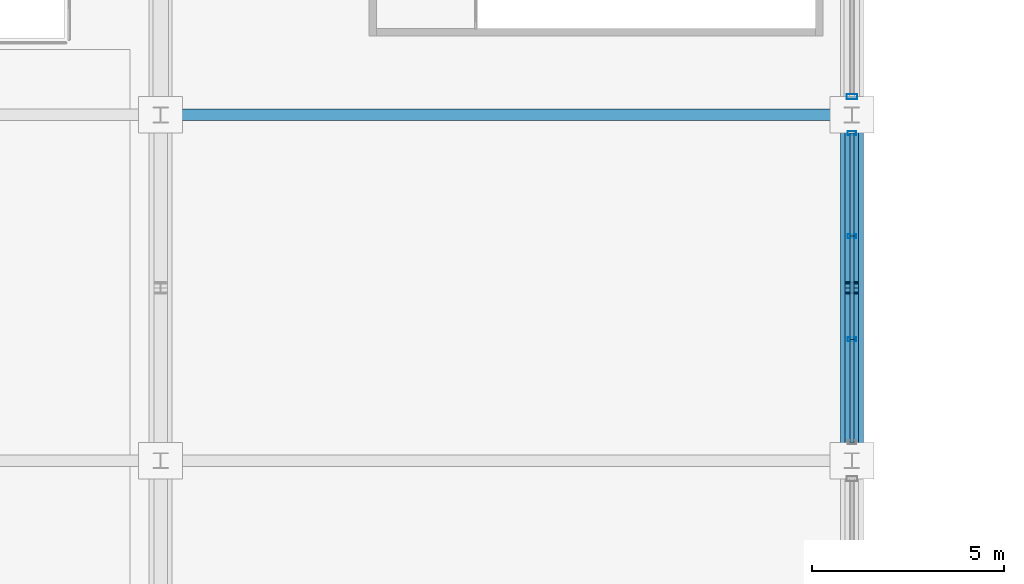
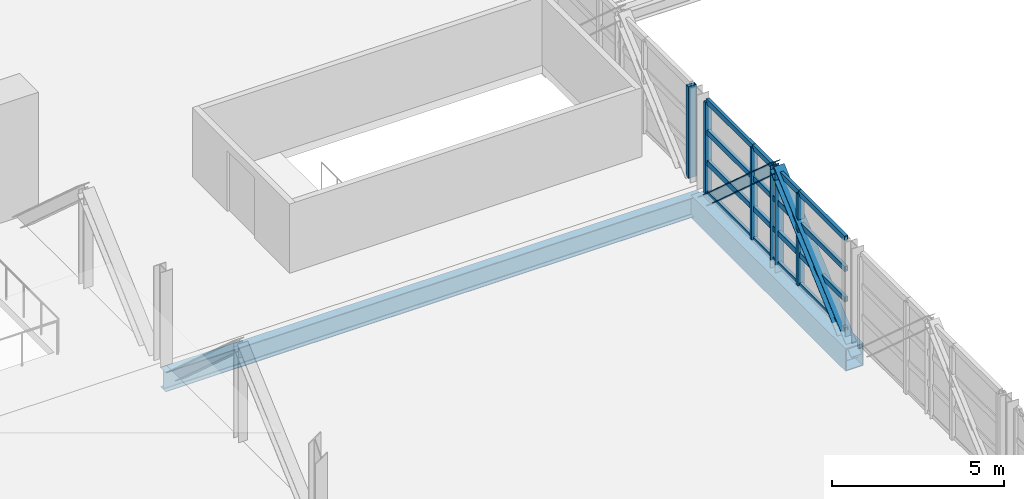
# One storey, part 45 of 136: 19 members, 2 beams, 2 elements without a shape of their own.
"""IFC4 building model written with IfcOpenShell, lengths in metres."""

from ifc_helpers import new_model, si_unit, direction, frame, origin, origin_2d, place, context, subcontext, project, spatial, hollow_rectangle, i_section, extrude, material, material_profile, profile_set, type_object, element, aggregate, save


model = new_model("IFC4")

# Units and contexts
model_context = context("Model", 3, precision=1e-05, world=origin(), true_north=direction((0.0, 1.0)))
body_context = subcontext(model_context, "Body", "Model", "MODEL_VIEW")
ifc_project = project(units=[si_unit("LENGTHUNIT", "METRE"), si_unit("AREAUNIT", "SQUARE_METRE"), si_unit("VOLUMEUNIT", "CUBIC_METRE"), si_unit("PLANEANGLEUNIT", "RADIAN"), si_unit("MASSUNIT", "GRAM", prefix="KILO")], contexts=[model_context])

# Site, building, storey
site_placement = place(None, origin())
site = spatial("IfcSite", under=ifc_project, at=site_placement, CompositionType="ELEMENT")
building_placement = place(site_placement, origin())
building = spatial("IfcBuilding", under=site, at=building_placement, Name="Chuanluo Vaults Station", CompositionType="ELEMENT")
storey_placement = place(building_placement, frame((0.0, 0.0, 6.60009765625)))
storey = spatial("IfcBuildingStorey", under=building, at=storey_placement, Name="L01", CompositionType="ELEMENT", Elevation=6.60009765625)

# Beams
ifc_material_1 = material(Name="Steel Q355C", Category="steel")
ifc_material_profile_1 = material_profile(ifc_material_1, i_section(OverallWidth=0.300048828125, OverallDepth=0.699951171875, WebThickness=0.012939453125, FlangeThickness=0.02392578125, FilletRadius=0.02197265625, at=origin_2d()))
ifc_profile_set_1 = profile_set([ifc_material_profile_1], Name="Steel Q355C")
beam_type_1 = type_object("IfcBeamType", Name="BM-GRD-700", PredefinedType="USERDEFINED", material=ifc_profile_set_1)
beam_1_placement = place(storey_placement, frame((90.0, 94.5, -0.630126953125), z_axis=(1.0, 0.0, 0.0), x_axis=(0.0, 1.0, 0.0)))
element("IfcBeam", 1, at=beam_1_placement, inside=storey, type_object=beam_type_1, Name="Over-track concourse floor girder 6-94", ObjectType="GIRDER", PredefinedType="USERDEFINED", context=body_context, shape_type="SweptSolid", body=[
    extrude(i_section(OverallWidth=0.300048828125, OverallDepth=0.699951171875, WebThickness=0.012939453125, FlangeThickness=0.02392578125, FilletRadius=0.02197265625, at=origin_2d()), origin(), (0.0, 0.0, 1.0), 18.0),
])
ifc_material_2 = material(Name="Steel Q390C", Category="steel")
ifc_material_profile_2 = material_profile(ifc_material_2, hollow_rectangle(XDim=0.60009765625, YDim=0.800048828125, WallThickness=0.031982421875, at=origin_2d()))
ifc_profile_set_2 = profile_set([ifc_material_profile_2], Name="Steel Q390C")
beam_type_2 = type_object("IfcBeamType", Name="BM-TT-BOT", PredefinedType="USERDEFINED", material=ifc_profile_set_2)
beam_2_placement = place(storey_placement, frame((108.0, 85.5, -0.68017578125), z_axis=(0.0, 1.0, 0.0), x_axis=(-1.0, 0.0, 0.0)))
element("IfcBeam", 2, at=beam_2_placement, inside=storey, type_object=beam_type_2, Name="Transfer truss TT-7 bottom chord 3", ObjectType="GIRDER", PredefinedType="USERDEFINED", context=body_context, shape_type="SweptSolid", body=[
    extrude(hollow_rectangle(XDim=0.60009765625, YDim=0.800048828125, WallThickness=0.031982421875, at=origin_2d()), origin(), (0.0, 0.0, 1.0), 9.0),
])

# Curtain wall, members
ifc_material_3 = material(Name="Anodised aluminium 6063-T6", Category="aluminium")
curtain_wall_type_1 = type_object("IfcCurtainWallType", Name="CW-SYS-28", PredefinedType="NOTDEFINED", material=ifc_material_3)
curtain_wall_1_placement = place(storey_placement, origin())
curtain_wall_1 = element("IfcCurtainWall", 3, at=curtain_wall_1_placement, inside=storey, type_object=curtain_wall_type_1, Name="Over-track east hall CW 85", PredefinedType="NOTDEFINED")
ifc_material_4 = material(Name="Anodised aluminium 6063-T6", Category="aluminium")
ifc_material_profile_3 = material_profile(ifc_material_4, hollow_rectangle(XDim=0.10498046875, YDim=0.219970703125, WallThickness=0.006103515625, at=origin_2d()))
ifc_profile_set_3 = profile_set([ifc_material_profile_3], Name="Anodised aluminium 6063-T6")
member_type_1 = type_object("IfcMemberType", Name="CWM-140", PredefinedType="MULLION", material=ifc_profile_set_3)
member_1_placement = place(storey_placement, frame((108.0, 94.02490234375, 0.0), z_axis=(0.0, 0.0, 1.0), x_axis=(0.0, -1.0, 0.0)))
member_1 = element("IfcMember", 4, at=member_1_placement, type_object=member_type_1, Name="Over-track east hall CW 85 mullion 1", PredefinedType="MULLION", context=body_context, shape_type="SweptSolid", body=[
    extrude(hollow_rectangle(XDim=0.10498046875, YDim=0.219970703125, WallThickness=0.006103515625, at=origin_2d()), origin(), (0.0, 0.0, 1.0), 3.25),
])
member_2_placement = place(storey_placement, frame((108.0, 91.341796875, 0.0), z_axis=(0.0, 0.0, 1.0), x_axis=(0.0, -1.0, 0.0)))
member_2 = element("IfcMember", 5, at=member_2_placement, type_object=member_type_1, Name="Over-track east hall CW 85 mullion 2", PredefinedType="MULLION", context=body_context, shape_type="SweptSolid", body=[
    extrude(hollow_rectangle(XDim=0.10498046875, YDim=0.219970703125, WallThickness=0.006103515625, at=origin_2d()), origin(), (0.0, 0.0, 1.0), 3.25),
])
member_3_placement = place(storey_placement, frame((108.0, 88.658203125, 0.0), z_axis=(0.0, 0.0, 1.0), x_axis=(0.0, -1.0, 0.0)))
member_3 = element("IfcMember", 6, at=member_3_placement, type_object=member_type_1, Name="Over-track east hall CW 85 mullion 3", PredefinedType="MULLION", context=body_context, shape_type="SweptSolid", body=[
    extrude(hollow_rectangle(XDim=0.10498046875, YDim=0.219970703125, WallThickness=0.006103515625, at=origin_2d()), origin(), (0.0, 0.0, 1.0), 3.25),
])

# Curtain wall, member
ifc_material_5 = material(Name="Anodised aluminium 6063-T6", Category="aluminium")
curtain_wall_type_2 = type_object("IfcCurtainWallType", Name="CW-SYS-02", PredefinedType="NOTDEFINED", material=ifc_material_5)
curtain_wall_2_placement = place(storey_placement, origin())
curtain_wall_2 = element("IfcCurtainWall", 7, at=curtain_wall_2_placement, inside=storey, type_object=curtain_wall_type_2, Name="Over-track east hall CW 94", PredefinedType="NOTDEFINED")
ifc_material_6 = material(Name="Anodised aluminium 6063-T6", Category="aluminium")
ifc_material_profile_4 = material_profile(ifc_material_6, hollow_rectangle(XDim=0.1298828125, YDim=0.280029296875, WallThickness=0.007080078125, at=origin_2d()))
ifc_profile_set_4 = profile_set([ifc_material_profile_4], Name="Anodised aluminium 6063-T6")
member_type_2 = type_object("IfcMemberType", Name="CWM-180", PredefinedType="MULLION", material=ifc_profile_set_4)
member_4_placement = place(storey_placement, frame((108.0, 94.97509765625, 0.0), z_axis=(0.0, 0.0, 1.0), x_axis=(0.0, -1.0, 0.0)))
member_4 = element("IfcMember", 8, at=member_4_placement, type_object=member_type_2, Name="Over-track east hall CW 94 mullion 4", PredefinedType="MULLION", context=body_context, shape_type="SweptSolid", body=[
    extrude(hollow_rectangle(XDim=0.1298828125, YDim=0.280029296875, WallThickness=0.007080078125, at=origin_2d()), origin(), (0.0, 0.0, 1.0), 3.25),
])
aggregate(curtain_wall_2, [member_4])

# Member
ifc_material_7 = material(Name="Anodised aluminium 6063-T6", Category="aluminium")
ifc_material_profile_5 = material_profile(ifc_material_7, hollow_rectangle(XDim=0.10498046875, YDim=0.18505859375, WallThickness=0.0048828125, at=origin_2d()))
ifc_profile_set_5 = profile_set([ifc_material_profile_5], Name="Anodised aluminium 6063-T6")
member_type_3 = type_object("IfcMemberType", Name="CWT-110", PredefinedType="USERDEFINED", material=ifc_profile_set_5)
member_5_placement = place(storey_placement, frame((108.0, 94.02490234375, 0.0), z_axis=(0.0, -1.0, 0.0), x_axis=(1.0, 0.0, 0.0)))
member_5 = element("IfcMember", 9, at=member_5_placement, type_object=member_type_3, Name="Over-track east hall CW 85 transom 1.1", ObjectType="TRANSOM", PredefinedType="USERDEFINED", context=body_context, shape_type="SweptSolid", body=[
    extrude(hollow_rectangle(XDim=0.10498046875, YDim=0.18505859375, WallThickness=0.0048828125, at=origin_2d()), origin(), (0.0, 0.0, 1.0), 2.68310546875),
])

member_6_placement = place(storey_placement, frame((108.0, 94.02490234375, 1.083251953125), z_axis=(0.0, -1.0, 0.0), x_axis=(1.0, 0.0, 0.0)))
member_6 = element("IfcMember", 10, at=member_6_placement, type_object=member_type_3, Name="Over-track east hall CW 85 transom 1.2", ObjectType="TRANSOM", PredefinedType="USERDEFINED", context=body_context, shape_type="SweptSolid", body=[
    extrude(hollow_rectangle(XDim=0.10498046875, YDim=0.18505859375, WallThickness=0.0048828125, at=origin_2d()), origin(), (0.0, 0.0, 1.0), 2.68310546875),
])

member_7_placement = place(storey_placement, frame((108.0, 94.02490234375, 2.16650390625), z_axis=(0.0, -1.0, 0.0), x_axis=(1.0, 0.0, 0.0)))
member_7 = element("IfcMember", 11, at=member_7_placement, type_object=member_type_3, Name="Over-track east hall CW 85 transom 1.3", ObjectType="TRANSOM", PredefinedType="USERDEFINED", context=body_context, shape_type="SweptSolid", body=[
    extrude(hollow_rectangle(XDim=0.10498046875, YDim=0.18505859375, WallThickness=0.0048828125, at=origin_2d()), origin(), (0.0, 0.0, 1.0), 2.68310546875),
])

member_8_placement = place(storey_placement, frame((108.0, 94.02490234375, 3.25), z_axis=(0.0, -1.0, 0.0), x_axis=(1.0, 0.0, 0.0)))
member_8 = element("IfcMember", 12, at=member_8_placement, type_object=member_type_3, Name="Over-track east hall CW 85 transom 1.4", ObjectType="TRANSOM", PredefinedType="USERDEFINED", context=body_context, shape_type="SweptSolid", body=[
    extrude(hollow_rectangle(XDim=0.10498046875, YDim=0.18505859375, WallThickness=0.0048828125, at=origin_2d()), origin(), (0.0, 0.0, 1.0), 2.68310546875),
])

member_9_placement = place(storey_placement, frame((108.0, 91.341796875, 0.0), z_axis=(0.0, -1.0, 0.0), x_axis=(1.0, 0.0, 0.0)))
member_9 = element("IfcMember", 13, at=member_9_placement, type_object=member_type_3, Name="Over-track east hall CW 85 transom 2.1", ObjectType="TRANSOM", PredefinedType="USERDEFINED", context=body_context, shape_type="SweptSolid", body=[
    extrude(hollow_rectangle(XDim=0.10498046875, YDim=0.18505859375, WallThickness=0.0048828125, at=origin_2d()), origin(), (0.0, 0.0, 1.0), 2.68359375),
])

member_10_placement = place(storey_placement, frame((108.0, 91.341796875, 1.083251953125), z_axis=(0.0, -1.0, 0.0), x_axis=(1.0, 0.0, 0.0)))
member_10 = element("IfcMember", 14, at=member_10_placement, type_object=member_type_3, Name="Over-track east hall CW 85 transom 2.2", ObjectType="TRANSOM", PredefinedType="USERDEFINED", context=body_context, shape_type="SweptSolid", body=[
    extrude(hollow_rectangle(XDim=0.10498046875, YDim=0.18505859375, WallThickness=0.0048828125, at=origin_2d()), origin(), (0.0, 0.0, 1.0), 2.68359375),
])

member_11_placement = place(storey_placement, frame((108.0, 91.341796875, 2.16650390625), z_axis=(0.0, -1.0, 0.0), x_axis=(1.0, 0.0, 0.0)))
member_11 = element("IfcMember", 15, at=member_11_placement, type_object=member_type_3, Name="Over-track east hall CW 85 transom 2.3", ObjectType="TRANSOM", PredefinedType="USERDEFINED", context=body_context, shape_type="SweptSolid", body=[
    extrude(hollow_rectangle(XDim=0.10498046875, YDim=0.18505859375, WallThickness=0.0048828125, at=origin_2d()), origin(), (0.0, 0.0, 1.0), 2.68359375),
])

member_12_placement = place(storey_placement, frame((108.0, 91.341796875, 3.25), z_axis=(0.0, -1.0, 0.0), x_axis=(1.0, 0.0, 0.0)))
member_12 = element("IfcMember", 16, at=member_12_placement, type_object=member_type_3, Name="Over-track east hall CW 85 transom 2.4", ObjectType="TRANSOM", PredefinedType="USERDEFINED", context=body_context, shape_type="SweptSolid", body=[
    extrude(hollow_rectangle(XDim=0.10498046875, YDim=0.18505859375, WallThickness=0.0048828125, at=origin_2d()), origin(), (0.0, 0.0, 1.0), 2.68359375),
])

member_13_placement = place(storey_placement, frame((108.0, 88.658203125, 0.0), z_axis=(0.0, -1.0, 0.0), x_axis=(1.0, 0.0, 0.0)))
member_13 = element("IfcMember", 17, at=member_13_placement, type_object=member_type_3, Name="Over-track east hall CW 85 transom 3.1", ObjectType="TRANSOM", PredefinedType="USERDEFINED", context=body_context, shape_type="SweptSolid", body=[
    extrude(hollow_rectangle(XDim=0.10498046875, YDim=0.18505859375, WallThickness=0.0048828125, at=origin_2d()), origin(), (0.0, 0.0, 1.0), 2.68310546875),
])

member_14_placement = place(storey_placement, frame((108.0, 88.658203125, 1.083251953125), z_axis=(0.0, -1.0, 0.0), x_axis=(1.0, 0.0, 0.0)))
member_14 = element("IfcMember", 18, at=member_14_placement, type_object=member_type_3, Name="Over-track east hall CW 85 transom 3.2", ObjectType="TRANSOM", PredefinedType="USERDEFINED", context=body_context, shape_type="SweptSolid", body=[
    extrude(hollow_rectangle(XDim=0.10498046875, YDim=0.18505859375, WallThickness=0.0048828125, at=origin_2d()), origin(), (0.0, 0.0, 1.0), 2.68310546875),
])

member_15_placement = place(storey_placement, frame((108.0, 88.658203125, 2.16650390625), z_axis=(0.0, -1.0, 0.0), x_axis=(1.0, 0.0, 0.0)))
member_15 = element("IfcMember", 19, at=member_15_placement, type_object=member_type_3, Name="Over-track east hall CW 85 transom 3.3", ObjectType="TRANSOM", PredefinedType="USERDEFINED", context=body_context, shape_type="SweptSolid", body=[
    extrude(hollow_rectangle(XDim=0.10498046875, YDim=0.18505859375, WallThickness=0.0048828125, at=origin_2d()), origin(), (0.0, 0.0, 1.0), 2.68310546875),
])

member_16_placement = place(storey_placement, frame((108.0, 88.658203125, 3.25), z_axis=(0.0, -1.0, 0.0), x_axis=(1.0, 0.0, 0.0)))
member_16 = element("IfcMember", 20, at=member_16_placement, type_object=member_type_3, Name="Over-track east hall CW 85 transom 3.4", ObjectType="TRANSOM", PredefinedType="USERDEFINED", context=body_context, shape_type="SweptSolid", body=[
    extrude(hollow_rectangle(XDim=0.10498046875, YDim=0.18505859375, WallThickness=0.0048828125, at=origin_2d()), origin(), (0.0, 0.0, 1.0), 2.68310546875),
])

aggregate(curtain_wall_1, [member_1, member_2, member_3, member_5, member_6, member_7, member_8, member_9, member_10, member_11, member_12, member_13, member_14, member_15, member_16])

# Members
ifc_material_8 = material(Name="Steel Q390C", Category="steel")
ifc_material_profile_6 = material_profile(ifc_material_8, i_section(OverallWidth=0.35009765625, OverallDepth=0.35009765625, WebThickness=0.011962890625, FlangeThickness=0.01904296875, FilletRadius=0.02001953125, at=origin_2d()))
ifc_profile_set_6 = profile_set([ifc_material_profile_6], Name="Steel Q390C")
member_type_4 = type_object("IfcMemberType", Name="MEM-DIAG-350", PredefinedType="BRACE", material=ifc_profile_set_6)
for number, where, z_axis, x_axis, name in (
    (21, (108.0, 85.5, -0.68017578125), (0.0, 0.744935757439, 0.667136205949), (-1.0, 0.0, 0.0), "Transfer truss TT-7 diagonal 3A"),
    (22, (108.0, 90.0, 3.349853515625), (0.0, 0.744935757439, -0.667136205949), (-1.0, 0.0, 0.0), "Transfer truss TT-7 diagonal 3B"),
):
    element("IfcMember", number, at=place(storey_placement, frame(where, z_axis=z_axis, x_axis=x_axis)), inside=storey, type_object=member_type_4, Name=name, PredefinedType="BRACE", context=body_context, shape_type="SweptSolid", body=[
        extrude(i_section(OverallWidth=0.35009765625, OverallDepth=0.35009765625, WebThickness=0.011962890625, FlangeThickness=0.01904296875, FilletRadius=0.02001953125, at=origin_2d()), origin(), (0.0, 0.0, 1.0), 6.040771484375),
    ])
ifc_material_9 = material(Name="Steel Q390C", Category="steel")
ifc_material_profile_7 = material_profile(ifc_material_9, i_section(OverallWidth=0.300048828125, OverallDepth=0.300048828125, WebThickness=0.010009765625, FlangeThickness=0.014892578125, FilletRadius=0.01806640625, at=origin_2d()))
ifc_profile_set_7 = profile_set([ifc_material_profile_7], Name="Steel Q390C")
member_type_5 = type_object("IfcMemberType", Name="MEM-VERT-300", PredefinedType="POST", material=ifc_profile_set_7)
member_17_placement = place(storey_placement, frame((108.0, 90.0, -0.68017578125), z_axis=(0.0, 0.0, 1.0), x_axis=(1.0, 0.0, 0.0)))
element("IfcMember", 23, at=member_17_placement, inside=storey, type_object=member_type_5, Name="Transfer truss TT-7 mid-panel hanger 3", PredefinedType="POST", context=body_context, shape_type="SweptSolid", body=[
    extrude(i_section(OverallWidth=0.300048828125, OverallDepth=0.300048828125, WebThickness=0.010009765625, FlangeThickness=0.014892578125, FilletRadius=0.01806640625, at=origin_2d()), origin(), (0.0, 0.0, 1.0), 4.030029296875),
])

save(model, "model.ifc")
